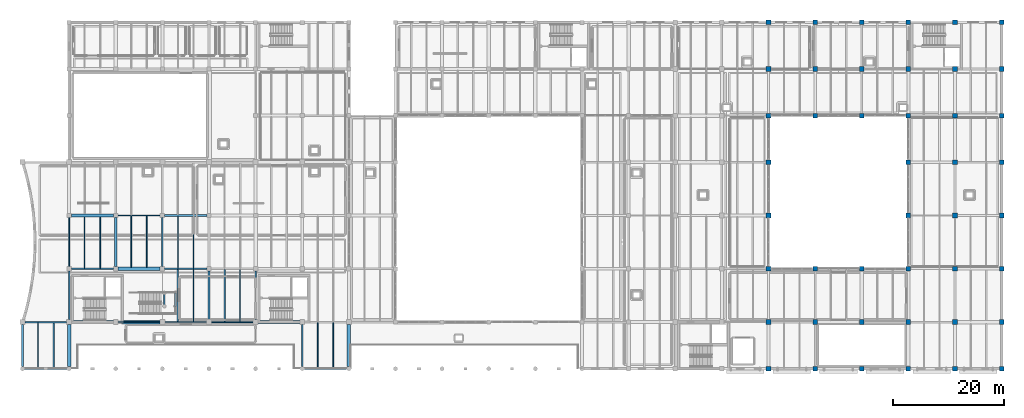
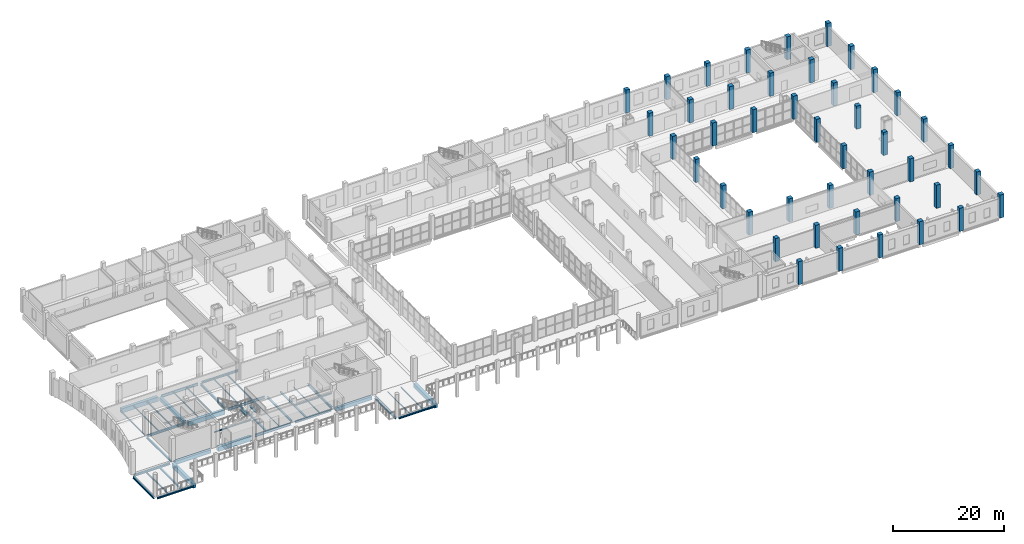
# One storey, part 2 of 66: 44 columns, 42 beams.
"""IFC4 building model written with IfcOpenShell, lengths in metres."""

from ifc_helpers import new_model, si_unit, direction, frame, origin, origin_2d, place, context, subcontext, project, spatial, rectangle, i_section, extrude, material, material_profile, profile_set, type_object, element, save


model = new_model("IFC4")

# Units and contexts
model_context = context("Model", 3, precision=1e-05, world=origin(), true_north=direction((0.0, 1.0)))
body_context = subcontext(model_context, "Body", "Model", "MODEL_VIEW")
ifc_project = project(units=[si_unit("LENGTHUNIT", "METRE"), si_unit("AREAUNIT", "SQUARE_METRE"), si_unit("VOLUMEUNIT", "CUBIC_METRE"), si_unit("PLANEANGLEUNIT", "RADIAN"), si_unit("MASSUNIT", "GRAM", prefix="KILO")], contexts=[model_context])

# Site, building, storey
site_placement = place(None, origin())
site = spatial("IfcSite", under=ifc_project, at=site_placement, CompositionType="ELEMENT")
building_placement = place(site_placement, origin())
building = spatial("IfcBuilding", under=site, at=building_placement, Name="Zulmaris Art Gallery", CompositionType="ELEMENT")
storey_placement = place(building_placement, frame((0.0, 0.0, 5.39990234375)))
storey = spatial("IfcBuildingStorey", under=building, at=storey_placement, Name="L01", CompositionType="ELEMENT", Elevation=5.39990234375)

# Columns
ifc_material_1 = material(Name="Concrete C50/60", Category="concrete")
ifc_material_profile_1 = material_profile(ifc_material_1, rectangle(XDim=0.85009765625, YDim=0.85009765625, at=origin_2d()), Name="RC 850x850")
ifc_profile_set_1 = profile_set([ifc_material_profile_1], Name="Concrete C50/60")
column_type = type_object("IfcColumnType", Name="COL-RC-850x850", PredefinedType="COLUMN", material=ifc_profile_set_1)
for number, where, z_axis, x_axis, name in (
    (1, (158.39990234375, 13.199951171875, 0.0), (0.0, 0.0, 1.0), (1.0, 0.0, 0.0), "L01 structural column (158.4, 13.2)"),
    (2, (158.39990234375, 21.60009765625, 0.0), (0.0, 0.0, 1.0), (1.0, 0.0, 0.0), "L01 structural column (158.4, 21.6)"),
    (3, (158.39990234375, 31.199951171875, 0.0), (0.0, 0.0, 1.0), (1.0, 0.0, 0.0), "L01 structural column (158.4, 31.2)"),
    (4, (158.39990234375, 40.800048828125, 0.0), (0.0, 0.0, 1.0), (1.0, 0.0, 0.0), "L01 structural column (158.4, 40.8)"),
    (5, (158.39990234375, 50.39990234375, 0.0), (0.0, 0.0, 1.0), (1.0, 0.0, 0.0), "L01 structural column (158.4, 50.4)"),
    (6, (158.39990234375, 58.800048828125, 0.0), (0.0, 0.0, 1.0), (1.0, 0.0, 0.0), "L01 structural column (158.4, 58.8)"),
    (7, (158.39990234375, 67.199951171875, 0.0), (0.0, 0.0, 1.0), (1.0, 0.0, 0.0), "L01 structural column (158.4, 67.2)"),
    (8, (158.39990234375, 75.60009765625, 0.0), (0.0, 0.0, 1.0), (1.0, 0.0, 0.0), "L01 structural column (158.4, 75.6)"),
    (9, (166.800048828125, 13.199951171875, 0.0), (0.0, 0.0, 1.0), (1.0, 0.0, 0.0), "L01 structural column (166.8, 13.2)"),
    (10, (166.800048828125, 21.60009765625, 0.0), (0.0, 0.0, 1.0), (1.0, 0.0, 0.0), "L01 structural column (166.8, 21.6)"),
    (11, (166.800048828125, 31.199951171875, 0.0), (0.0, 0.0, 1.0), (1.0, 0.0, 0.0), "L01 structural column (166.8, 31.2)"),
    (12, (166.800048828125, 58.800048828125, 0.0), (0.0, 0.0, 1.0), (1.0, 0.0, 0.0), "L01 structural column (166.8, 58.8)"),
    (13, (166.800048828125, 67.199951171875, 0.0), (0.0, 0.0, 1.0), (1.0, 0.0, 0.0), "L01 structural column (166.8, 67.2)"),
    (14, (166.800048828125, 75.60009765625, 0.0), (0.0, 0.0, 1.0), (1.0, 0.0, 0.0), "L01 structural column (166.8, 75.6)"),
    (15, (175.199951171875, 13.199951171875, 0.0), (0.0, 0.0, 1.0), (1.0, 0.0, 0.0), "L01 structural column (175.2, 13.2)"),
    (16, (175.199951171875, 21.60009765625, 0.0), (0.0, 0.0, 1.0), (1.0, 0.0, 0.0), "L01 structural column (175.2, 21.6)"),
    (17, (175.199951171875, 31.199951171875, 0.0), (0.0, 0.0, 1.0), (1.0, 0.0, 0.0), "L01 structural column (175.2, 31.2)"),
    (18, (175.199951171875, 58.800048828125, 0.0), (0.0, 0.0, 1.0), (1.0, 0.0, 0.0), "L01 structural column (175.2, 58.8)"),
    (19, (175.199951171875, 67.199951171875, 0.0), (0.0, 0.0, 1.0), (1.0, 0.0, 0.0), "L01 structural column (175.2, 67.2)"),
    (20, (175.199951171875, 75.60009765625, 0.0), (0.0, 0.0, 1.0), (1.0, 0.0, 0.0), "L01 structural column (175.2, 75.6)"),
    (21, (183.60009765625, 13.199951171875, 0.0), (0.0, 0.0, 1.0), (1.0, 0.0, 0.0), "L01 structural column (183.6, 13.2)"),
    (22, (183.60009765625, 21.60009765625, 0.0), (0.0, 0.0, 1.0), (1.0, 0.0, 0.0), "L01 structural column (183.6, 21.6)"),
    (23, (183.60009765625, 31.199951171875, 0.0), (0.0, 0.0, 1.0), (1.0, 0.0, 0.0), "L01 structural column (183.6, 31.2)"),
    (24, (183.60009765625, 40.800048828125, 0.0), (0.0, 0.0, 1.0), (1.0, 0.0, 0.0), "L01 structural column (183.6, 40.8)"),
    (25, (183.60009765625, 50.39990234375, 0.0), (0.0, 0.0, 1.0), (1.0, 0.0, 0.0), "L01 structural column (183.6, 50.4)"),
    (26, (183.60009765625, 58.800048828125, 0.0), (0.0, 0.0, 1.0), (1.0, 0.0, 0.0), "L01 structural column (183.6, 58.8)"),
    (27, (183.60009765625, 67.199951171875, 0.0), (0.0, 0.0, 1.0), (1.0, 0.0, 0.0), "L01 structural column (183.6, 67.2)"),
    (28, (183.60009765625, 75.60009765625, 0.0), (0.0, 0.0, 1.0), (1.0, 0.0, 0.0), "L01 structural column (183.6, 75.6)"),
    (29, (192.0, 13.199951171875, 0.0), (0.0, 0.0, 1.0), (1.0, 0.0, 0.0), "L01 structural column (192.0, 13.2)"),
    (30, (192.0, 21.60009765625, 0.0), (0.0, 0.0, 1.0), (1.0, 0.0, 0.0), "L01 structural column (192.0, 21.6)"),
    (31, (192.0, 31.199951171875, 0.0), (0.0, 0.0, 1.0), (1.0, 0.0, 0.0), "L01 structural column (192.0, 31.2)"),
    (32, (192.0, 40.800048828125, 0.0), (0.0, 0.0, 1.0), (1.0, 0.0, 0.0), "L01 structural column (192.0, 40.8)"),
    (33, (192.0, 50.39990234375, 0.0), (0.0, 0.0, 1.0), (1.0, 0.0, 0.0), "L01 structural column (192.0, 50.4)"),
    (34, (192.0, 58.800048828125, 0.0), (0.0, 0.0, 1.0), (1.0, 0.0, 0.0), "L01 structural column (192.0, 58.8)"),
    (35, (192.0, 67.199951171875, 0.0), (0.0, 0.0, 1.0), (1.0, 0.0, 0.0), "L01 structural column (192.0, 67.2)"),
    (36, (192.0, 75.60009765625, 0.0), (0.0, 0.0, 1.0), (1.0, 0.0, 0.0), "L01 structural column (192.0, 75.6)"),
    (37, (200.39990234375, 13.199951171875, 0.0), (0.0, 0.0, 1.0), (1.0, 0.0, 0.0), "L01 structural column (200.4, 13.2)"),
    (38, (200.39990234375, 21.60009765625, 0.0), (0.0, 0.0, 1.0), (1.0, 0.0, 0.0), "L01 structural column (200.4, 21.6)"),
    (39, (200.39990234375, 31.199951171875, 0.0), (0.0, 0.0, 1.0), (1.0, 0.0, 0.0), "L01 structural column (200.4, 31.2)"),
    (40, (200.39990234375, 40.800048828125, 0.0), (0.0, 0.0, 1.0), (1.0, 0.0, 0.0), "L01 structural column (200.4, 40.8)"),
    (41, (200.39990234375, 50.39990234375, 0.0), (0.0, 0.0, 1.0), (1.0, 0.0, 0.0), "L01 structural column (200.4, 50.4)"),
    (42, (200.39990234375, 58.800048828125, 0.0), (0.0, 0.0, 1.0), (1.0, 0.0, 0.0), "L01 structural column (200.4, 58.8)"),
    (43, (200.39990234375, 67.199951171875, 0.0), (0.0, 0.0, 1.0), (1.0, 0.0, 0.0), "L01 structural column (200.4, 67.2)"),
    (44, (200.39990234375, 75.60009765625, 0.0), (0.0, 0.0, 1.0), (1.0, 0.0, 0.0), "L01 structural column (200.4, 75.6)"),
):
    element("IfcColumn", number, at=place(storey_placement, frame(where, z_axis=z_axis, x_axis=x_axis)), inside=storey, type_object=column_type, Name=name, PredefinedType="COLUMN", context=body_context, shape_type="SweptSolid", body=[
        extrude(rectangle(XDim=0.85009765625, YDim=0.85009765625, at=origin_2d()), origin(), (0.0, 0.0, 1.0), 5.10009765625),
    ])

# Beams
ifc_material_2 = material(Name="Steel S355J2", Category="steel")
ifc_material_profile_2 = material_profile(ifc_material_2, i_section(OverallWidth=0.14990234375, OverallDepth=0.300048828125, WebThickness=0.007080078125, FlangeThickness=0.0107421875, FilletRadius=0.014892578125, at=origin_2d()), Name="IPE 300")
ifc_profile_set_2 = profile_set([ifc_material_profile_2], Name="Steel S355J2")
beam_type_1 = type_object("IfcBeamType", Name="BEAM-BM01", PredefinedType="BEAM", material=ifc_profile_set_2)
beam_1_placement = place(storey_placement, frame((32.39990234375, 31.5849609375, -0.47998046875), z_axis=(0.0, 1.0, 0.0), x_axis=(-1.0, 0.0, 0.0)))
element("IfcBeam", 45, at=beam_1_placement, inside=storey, type_object=beam_type_1, Name="L01 Y-girder (x=32.4, 31.2..40.8)", PredefinedType="BEAM", context=body_context, shape_type="SweptSolid", body=[
    extrude(i_section(OverallWidth=0.14990234375, OverallDepth=0.300048828125, WebThickness=0.007080078125, FlangeThickness=0.0107421875, FilletRadius=0.014892578125, at=origin_2d()), origin(), (0.0, 0.0, 1.0), 8.830078125),
])
ifc_material_profile_3 = material_profile(ifc_material_2, i_section(OverallWidth=0.219970703125, OverallDepth=0.60009765625, WebThickness=0.011962890625, FlangeThickness=0.01904296875, FilletRadius=0.02392578125, at=origin_2d()), Name="IPE 600")
ifc_profile_set_3 = profile_set([ifc_material_profile_3], Name="Steel S355J2")
beam_type_2 = type_object("IfcBeamType", Name="BEAM-BM07", PredefinedType="BEAM", material=ifc_profile_set_3)
beam_2_placement = place(storey_placement, frame((49.635009765625, 21.60009765625, -0.6298828125), z_axis=(1.0, 0.0, 0.0), x_axis=(0.0, 1.0, 0.0)))
element("IfcBeam", 46, at=beam_2_placement, inside=storey, type_object=beam_type_2, Name="L01 X-girder (49.2..57.6, y=21.6)", PredefinedType="BEAM", context=body_context, shape_type="SweptSolid", body=[
    extrude(i_section(OverallWidth=0.219970703125, OverallDepth=0.60009765625, WebThickness=0.011962890625, FlangeThickness=0.01904296875, FilletRadius=0.02392578125, at=origin_2d()), origin(), (0.0, 0.0, 1.0), 7.530029296875),
])
beam_3_placement = place(storey_placement, frame((49.5849609375, 31.199951171875, -0.6298828125), z_axis=(1.0, 0.0, 0.0), x_axis=(0.0, 1.0, 0.0)))
element("IfcBeam", 47, at=beam_3_placement, inside=storey, type_object=beam_type_2, Name="L01 X-girder (49.2..57.6, y=31.2)", PredefinedType="BEAM", context=body_context, shape_type="SweptSolid", body=[
    extrude(i_section(OverallWidth=0.219970703125, OverallDepth=0.60009765625, WebThickness=0.011962890625, FlangeThickness=0.01904296875, FilletRadius=0.02392578125, at=origin_2d()), origin(), (0.0, 0.0, 1.0), 7.630126953125),
])
beam_4_placement = place(storey_placement, frame((41.18505859375, 40.800048828125, -0.6298828125), z_axis=(1.0, 0.0, 0.0), x_axis=(0.0, 1.0, 0.0)))
element("IfcBeam", 48, at=beam_4_placement, inside=storey, type_object=beam_type_2, Name="L01 X-girder (40.8..49.2, y=40.8)", PredefinedType="BEAM", context=body_context, shape_type="SweptSolid", body=[
    extrude(i_section(OverallWidth=0.219970703125, OverallDepth=0.60009765625, WebThickness=0.011962890625, FlangeThickness=0.01904296875, FilletRadius=0.02392578125, at=origin_2d()), origin(), (0.0, 0.0, 1.0), 7.6298828125),
])
ifc_material_profile_4 = material_profile(ifc_material_2, i_section(OverallWidth=0.300048828125, OverallDepth=0.389892578125, WebThickness=0.010986328125, FlangeThickness=0.01904296875, FilletRadius=0.027099609375, at=origin_2d()), Name="HEA 400")
ifc_profile_set_4 = profile_set([ifc_material_profile_4], Name="Steel S355J2")
beam_type_3 = type_object("IfcBeamType", Name="BEAM-BM09", PredefinedType="BEAM", material=ifc_profile_set_4)
beam_5_placement = place(storey_placement, frame((49.199951171875, 31.5849609375, -0.52490234375), z_axis=(0.0, 1.0, 0.0), x_axis=(-1.0, 0.0, 0.0)))
element("IfcBeam", 49, at=beam_5_placement, inside=storey, type_object=beam_type_3, Name="L01 Y-girder (x=49.2, 31.2..40.8)", PredefinedType="BEAM", context=body_context, shape_type="SweptSolid", body=[
    extrude(i_section(OverallWidth=0.300048828125, OverallDepth=0.389892578125, WebThickness=0.010986328125, FlangeThickness=0.01904296875, FilletRadius=0.027099609375, at=origin_2d()), origin(), (0.0, 0.0, 1.0), 8.830078125),
])
beam_6_placement = place(storey_placement, frame((57.60009765625, 22.034912109375, -0.52490234375), z_axis=(0.0, 1.0, 0.0), x_axis=(-1.0, 0.0, 0.0)))
element("IfcBeam", 50, at=beam_6_placement, inside=storey, type_object=beam_type_3, Name="L01 Y-girder (x=57.6, 21.6..31.2)", PredefinedType="BEAM", context=body_context, shape_type="SweptSolid", body=[
    extrude(i_section(OverallWidth=0.300048828125, OverallDepth=0.389892578125, WebThickness=0.010986328125, FlangeThickness=0.01904296875, FilletRadius=0.027099609375, at=origin_2d()), origin(), (0.0, 0.0, 1.0), 8.780029296875),
])
for number, where, z_axis, x_axis, name in (
    (51, (49.550048828125, 24.449951171875, 2.14501953125), (0.0, 1.0, 0.0), (-1.0, 0.0, 0.0), "ST6 L01 landing bearer 1"),
    (52, (51.550048828125, 24.449951171875, 2.14501953125), (0.0, 1.0, 0.0), (-1.0, 0.0, 0.0), "ST6 L01 landing bearer 2"),
):
    element("IfcBeam", number, at=place(storey_placement, frame(where, z_axis=z_axis, x_axis=x_axis)), inside=storey, type_object=beam_type_3, Name=name, PredefinedType="BEAM", context=body_context, shape_type="SweptSolid", body=[
        extrude(i_section(OverallWidth=0.300048828125, OverallDepth=0.389892578125, WebThickness=0.010986328125, FlangeThickness=0.01904296875, FilletRadius=0.027099609375, at=origin_2d()), origin(), (0.0, 0.0, 1.0), 2.400146484375),
    ])
ifc_material_profile_5 = material_profile(ifc_material_2, i_section(OverallWidth=0.300048828125, OverallDepth=0.449951171875, WebThickness=0.013916015625, FlangeThickness=0.02587890625, FilletRadius=0.027099609375, at=origin_2d()), Name="HEB 450")
ifc_profile_set_5 = profile_set([ifc_material_profile_5], Name="Steel S355J2")
beam_type_4 = type_object("IfcBeamType", Name="BEAM-BM13", PredefinedType="BEAM", material=ifc_profile_set_5)
for number, where, z_axis, x_axis, name in (
    (53, (24.43505859375, 21.60009765625, -0.554931640625), (1.0, 0.0, 0.0), (0.0, 1.0, 0.0), "L01 X-girder (24.0..32.4, y=21.6)"),
    (54, (58.034912109375, 21.60009765625, -0.554931640625), (1.0, 0.0, 0.0), (0.0, 1.0, 0.0), "L01 X-girder (57.6..66.0, y=21.6)"),
):
    element("IfcBeam", number, at=place(storey_placement, frame(where, z_axis=z_axis, x_axis=x_axis)), inside=storey, type_object=beam_type_4, Name=name, PredefinedType="BEAM", context=body_context, shape_type="SweptSolid", body=[
        extrude(i_section(OverallWidth=0.300048828125, OverallDepth=0.449951171875, WebThickness=0.013916015625, FlangeThickness=0.02587890625, FilletRadius=0.027099609375, at=origin_2d()), origin(), (0.0, 0.0, 1.0), 7.530029296875),
    ])
beam_7_placement = place(storey_placement, frame((49.5849609375, 40.800048828125, -0.554931640625), z_axis=(1.0, 0.0, 0.0), x_axis=(0.0, 1.0, 0.0)))
element("IfcBeam", 55, at=beam_7_placement, inside=storey, type_object=beam_type_4, Name="L01 X-girder (49.2..57.6, y=40.8)", PredefinedType="BEAM", context=body_context, shape_type="SweptSolid", body=[
    extrude(i_section(OverallWidth=0.300048828125, OverallDepth=0.449951171875, WebThickness=0.013916015625, FlangeThickness=0.02587890625, FilletRadius=0.027099609375, at=origin_2d()), origin(), (0.0, 0.0, 1.0), 7.630126953125),
])
ifc_material_profile_6 = material_profile(ifc_material_2, i_section(OverallWidth=0.300048828125, OverallDepth=0.5, WebThickness=0.014404296875, FlangeThickness=0.028076171875, FilletRadius=0.027099609375, at=origin_2d()), Name="HEB 500")
ifc_profile_set_6 = profile_set([ifc_material_profile_6], Name="Steel S355J2")
beam_type_5 = type_object("IfcBeamType", Name="BEAM-BM14", PredefinedType="BEAM", material=ifc_profile_set_6)
beam_8_placement = place(storey_placement, frame((32.784912109375, 31.199951171875, -0.579833984375), z_axis=(1.0, 0.0, 0.0), x_axis=(0.0, 1.0, 0.0)))
element("IfcBeam", 56, at=beam_8_placement, inside=storey, type_object=beam_type_5, Name="L01 X-girder (32.4..40.8, y=31.2)", PredefinedType="BEAM", context=body_context, shape_type="SweptSolid", body=[
    extrude(i_section(OverallWidth=0.300048828125, OverallDepth=0.5, WebThickness=0.014404296875, FlangeThickness=0.028076171875, FilletRadius=0.027099609375, at=origin_2d()), origin(), (0.0, 0.0, 1.0), 7.630126953125),
])
beam_9_placement = place(storey_placement, frame((66.0, 22.034912109375, -0.579833984375), z_axis=(0.0, 1.0, 0.0), x_axis=(-1.0, 0.0, 0.0)))
element("IfcBeam", 57, at=beam_9_placement, inside=storey, type_object=beam_type_5, Name="L01 Y-girder (x=66.0, 21.6..31.2)", PredefinedType="BEAM", context=body_context, shape_type="SweptSolid", body=[
    extrude(i_section(OverallWidth=0.300048828125, OverallDepth=0.5, WebThickness=0.014404296875, FlangeThickness=0.028076171875, FilletRadius=0.027099609375, at=origin_2d()), origin(), (0.0, 0.0, 1.0), 8.780029296875),
])
beam_10_placement = place(storey_placement, frame((74.39990234375, 13.5849609375, -0.579833984375), z_axis=(0.0, 1.0, 0.0), x_axis=(-1.0, 0.0, 0.0)))
element("IfcBeam", 58, at=beam_10_placement, inside=storey, type_object=beam_type_5, Name="L01 Y-girder (x=74.4, 13.2..21.6)", PredefinedType="BEAM", context=body_context, shape_type="SweptSolid", body=[
    extrude(i_section(OverallWidth=0.300048828125, OverallDepth=0.5, WebThickness=0.014404296875, FlangeThickness=0.028076171875, FilletRadius=0.027099609375, at=origin_2d()), origin(), (0.0, 0.0, 1.0), 7.580078125),
])
ifc_material_3 = material(Name="Concrete C40/50", Category="concrete")
ifc_material_profile_7 = material_profile(ifc_material_3, rectangle(XDim=0.5, YDim=0.75, at=origin_2d()), Name="RC 500x750")
ifc_profile_set_7 = profile_set([ifc_material_profile_7], Name="Concrete C40/50")
beam_type_6 = type_object("IfcBeamType", Name="BEAM-BM20", PredefinedType="BEAM", material=ifc_profile_set_7)
for number, where, z_axis, x_axis, name in (
    (59, (32.8349609375, 21.60009765625, -0.704833984375), (1.0, 0.0, 0.0), (0.0, 1.0, 0.0), "L01 X-girder (32.4..40.8, y=21.6)"),
    (60, (66.43505859375, 21.60009765625, -0.704833984375), (1.0, 0.0, 0.0), (0.0, 1.0, 0.0), "L01 X-girder (66.0..74.4, y=21.6)"),
):
    element("IfcBeam", number, at=place(storey_placement, frame(where, z_axis=z_axis, x_axis=x_axis)), inside=storey, type_object=beam_type_6, Name=name, PredefinedType="BEAM", context=body_context, shape_type="SweptSolid", body=[
        extrude(rectangle(XDim=0.5, YDim=0.75, at=origin_2d()), origin(), (0.0, 0.0, 1.0), 7.530029296875),
    ])
beam_11_placement = place(storey_placement, frame((40.800048828125, 31.5849609375, -0.704833984375), z_axis=(0.0, 1.0, 0.0), x_axis=(-1.0, 0.0, 0.0)))
element("IfcBeam", 61, at=beam_11_placement, inside=storey, type_object=beam_type_6, Name="L01 Y-girder (x=40.8, 31.2..40.8)", PredefinedType="BEAM", context=body_context, shape_type="SweptSolid", body=[
    extrude(rectangle(XDim=0.5, YDim=0.75, at=origin_2d()), origin(), (0.0, 0.0, 1.0), 8.830078125),
])
ifc_material_profile_8 = material_profile(ifc_material_3, rectangle(XDim=0.60009765625, YDim=0.949951171875, at=origin_2d()), Name="RC 600x950")
ifc_profile_set_8 = profile_set([ifc_material_profile_8], Name="Concrete C40/50")
beam_type_7 = type_object("IfcBeamType", Name="BEAM-BM22", PredefinedType="BEAM", material=ifc_profile_set_8)
beam_12_placement = place(storey_placement, frame((41.85009765625, 21.60009765625, -0.804931640625), z_axis=(1.0, 0.0, 0.0), x_axis=(0.0, 1.0, 0.0)))
element("IfcBeam", 62, at=beam_12_placement, inside=storey, type_object=beam_type_7, Name="L01 X-girder (40.8..49.2, y=21.6)", PredefinedType="BEAM", context=body_context, shape_type="SweptSolid", body=[
    extrude(rectangle(XDim=0.60009765625, YDim=0.949951171875, at=origin_2d()), origin(), (0.0, 0.0, 1.0), 6.914794921875),
])
beam_13_placement = place(storey_placement, frame((41.18505859375, 31.199951171875, -0.804931640625), z_axis=(1.0, 0.0, 0.0), x_axis=(0.0, 1.0, 0.0)))
element("IfcBeam", 63, at=beam_13_placement, inside=storey, type_object=beam_type_7, Name="L01 X-girder (40.8..49.2, y=31.2)", PredefinedType="BEAM", context=body_context, shape_type="SweptSolid", body=[
    extrude(rectangle(XDim=0.60009765625, YDim=0.949951171875, at=origin_2d()), origin(), (0.0, 0.0, 1.0), 7.6298828125),
])
beam_14_placement = place(storey_placement, frame((32.784912109375, 40.800048828125, -0.804931640625), z_axis=(1.0, 0.0, 0.0), x_axis=(0.0, 1.0, 0.0)))
element("IfcBeam", 64, at=beam_14_placement, inside=storey, type_object=beam_type_7, Name="L01 X-girder (32.4..40.8, y=40.8)", PredefinedType="BEAM", context=body_context, shape_type="SweptSolid", body=[
    extrude(rectangle(XDim=0.60009765625, YDim=0.949951171875, at=origin_2d()), origin(), (0.0, 0.0, 1.0), 7.630126953125),
])
for number, where, z_axis, x_axis, name in (
    (65, (32.39990234375, 13.5849609375, -0.804931640625), (0.0, 1.0, 0.0), (-1.0, 0.0, 0.0), "L01 Y-girder (x=32.4, 13.2..21.6)"),
    (66, (82.800048828125, 13.5849609375, -0.804931640625), (0.0, 1.0, 0.0), (-1.0, 0.0, 0.0), "L01 Y-girder (x=82.8, 13.2..21.6)"),
):
    element("IfcBeam", number, at=place(storey_placement, frame(where, z_axis=z_axis, x_axis=x_axis)), inside=storey, type_object=beam_type_7, Name=name, PredefinedType="BEAM", context=body_context, shape_type="SweptSolid", body=[
        extrude(rectangle(XDim=0.60009765625, YDim=0.949951171875, at=origin_2d()), origin(), (0.0, 0.0, 1.0), 7.580078125),
    ])
ifc_material_profile_9 = material_profile(ifc_material_2, i_section(OverallWidth=0.300048828125, OverallDepth=0.360107421875, WebThickness=0.012451171875, FlangeThickness=0.0224609375, FilletRadius=0.027099609375, at=origin_2d()), Name="HEB 360")
ifc_profile_set_9 = profile_set([ifc_material_profile_9], Name="Steel S355J2")
beam_type_8 = type_object("IfcBeamType", Name="BEAM-BM25", PredefinedType="BEAM", material=ifc_profile_set_9)
beam_15_placement = place(storey_placement, frame((32.39990234375, 22.034912109375, -0.510009765625), z_axis=(0.0, 1.0, 0.0), x_axis=(-1.0, 0.0, 0.0)))
element("IfcBeam", 67, at=beam_15_placement, inside=storey, type_object=beam_type_8, Name="L01 Y-girder (x=32.4, 21.6..31.2)", PredefinedType="BEAM", context=body_context, shape_type="SweptSolid", body=[
    extrude(i_section(OverallWidth=0.300048828125, OverallDepth=0.360107421875, WebThickness=0.012451171875, FlangeThickness=0.0224609375, FilletRadius=0.027099609375, at=origin_2d()), origin(), (0.0, 0.0, 1.0), 8.780029296875),
])
ifc_material_profile_10 = material_profile(ifc_material_2, i_section(OverallWidth=0.1201171875, OverallDepth=0.239990234375, WebThickness=0.006103515625, FlangeThickness=0.009765625, FilletRadius=0.014892578125, at=origin_2d()), Name="IPE 240")
ifc_profile_set_10 = profile_set([ifc_material_profile_10], Name="Steel S355J2")
beam_type_9 = type_object("IfcBeamType", Name="BEAM-JS01", PredefinedType="JOIST", material=ifc_profile_set_10)
beam_16_placement = place(storey_placement, frame((35.199951171875, 31.324951171875, -0.449951171875), z_axis=(0.0, 1.0, 0.0), x_axis=(-1.0, 0.0, 0.0)))
element("IfcBeam", 68, at=beam_16_placement, inside=storey, type_object=beam_type_9, Name="L01 secondary joist at x=35.2", PredefinedType="JOIST", context=body_context, shape_type="SweptSolid", body=[
    extrude(i_section(OverallWidth=0.1201171875, OverallDepth=0.239990234375, WebThickness=0.006103515625, FlangeThickness=0.009765625, FilletRadius=0.014892578125, at=origin_2d()), origin(), (0.0, 0.0, 1.0), 9.199951171875),
])
beam_17_placement = place(storey_placement, frame((43.60009765625, 31.47509765625, -0.449951171875), z_axis=(0.0, 1.0, 0.0), x_axis=(-1.0, 0.0, 0.0)))
element("IfcBeam", 69, at=beam_17_placement, inside=storey, type_object=beam_type_9, Name="L01 secondary joist at x=43.6", PredefinedType="JOIST", context=body_context, shape_type="SweptSolid", body=[
    extrude(i_section(OverallWidth=0.1201171875, OverallDepth=0.239990234375, WebThickness=0.006103515625, FlangeThickness=0.009765625, FilletRadius=0.014892578125, at=origin_2d()), origin(), (0.0, 0.0, 1.0), 9.239990234375),
])
beam_18_placement = place(storey_placement, frame((54.800048828125, 21.68505859375, -0.449951171875), z_axis=(0.0, 1.0, 0.0), x_axis=(-1.0, 0.0, 0.0)))
element("IfcBeam", 70, at=beam_18_placement, inside=storey, type_object=beam_type_9, Name="L01 secondary joist at x=54.8", PredefinedType="JOIST", context=body_context, shape_type="SweptSolid", body=[
    extrude(i_section(OverallWidth=0.1201171875, OverallDepth=0.239990234375, WebThickness=0.006103515625, FlangeThickness=0.009765625, FilletRadius=0.014892578125, at=origin_2d()), origin(), (0.0, 0.0, 1.0), 9.429931640625),
])
beam_19_placement = place(storey_placement, frame((63.199951171875, 21.72509765625, -0.449951171875), z_axis=(0.0, 1.0, 0.0), x_axis=(-1.0, 0.0, 0.0)))
element("IfcBeam", 71, at=beam_19_placement, inside=storey, type_object=beam_type_9, Name="L01 secondary joist at x=63.2", PredefinedType="JOIST", context=body_context, shape_type="SweptSolid", body=[
    extrude(i_section(OverallWidth=0.1201171875, OverallDepth=0.239990234375, WebThickness=0.006103515625, FlangeThickness=0.009765625, FilletRadius=0.014892578125, at=origin_2d()), origin(), (0.0, 0.0, 1.0), 9.349853515625),
])
beam_20_placement = place(storey_placement, frame((77.199951171875, 13.324951171875, -0.449951171875), z_axis=(0.0, 1.0, 0.0), x_axis=(-1.0, 0.0, 0.0)))
element("IfcBeam", 72, at=beam_20_placement, inside=storey, type_object=beam_type_9, Name="L01 secondary joist at x=77.2", PredefinedType="JOIST", context=body_context, shape_type="SweptSolid", body=[
    extrude(i_section(OverallWidth=0.1201171875, OverallDepth=0.239990234375, WebThickness=0.006103515625, FlangeThickness=0.009765625, FilletRadius=0.014892578125, at=origin_2d()), origin(), (0.0, 0.0, 1.0), 8.150146484375),
])
ifc_material_profile_11 = material_profile(ifc_material_2, i_section(OverallWidth=0.135009765625, OverallDepth=0.27001953125, WebThickness=0.006591796875, FlangeThickness=0.01025390625, FilletRadius=0.014892578125, at=origin_2d()), Name="IPE 270")
ifc_profile_set_11 = profile_set([ifc_material_profile_11], Name="Steel S355J2")
beam_type_10 = type_object("IfcBeamType", Name="BEAM-JS02", PredefinedType="JOIST", material=ifc_profile_set_11)
beam_21_placement = place(storey_placement, frame((38.0, 31.324951171875, -0.46484375), z_axis=(0.0, 1.0, 0.0), x_axis=(-1.0, 0.0, 0.0)))
element("IfcBeam", 73, at=beam_21_placement, inside=storey, type_object=beam_type_10, Name="L01 secondary joist at x=38.0", PredefinedType="JOIST", context=body_context, shape_type="SweptSolid", body=[
    extrude(i_section(OverallWidth=0.135009765625, OverallDepth=0.27001953125, WebThickness=0.006591796875, FlangeThickness=0.01025390625, FilletRadius=0.014892578125, at=origin_2d()), origin(), (0.0, 0.0, 1.0), 9.199951171875),
])
beam_22_placement = place(storey_placement, frame((46.39990234375, 31.47509765625, -0.46484375), z_axis=(0.0, 1.0, 0.0), x_axis=(-1.0, 0.0, 0.0)))
element("IfcBeam", 74, at=beam_22_placement, inside=storey, type_object=beam_type_10, Name="L01 secondary joist at x=46.4", PredefinedType="JOIST", context=body_context, shape_type="SweptSolid", body=[
    extrude(i_section(OverallWidth=0.135009765625, OverallDepth=0.27001953125, WebThickness=0.006591796875, FlangeThickness=0.01025390625, FilletRadius=0.014892578125, at=origin_2d()), origin(), (0.0, 0.0, 1.0), 9.239990234375),
])
beam_23_placement = place(storey_placement, frame((52.0, 31.284912109375, -0.46484375), z_axis=(0.0, 1.0, 0.0), x_axis=(-1.0, 0.0, 0.0)))
element("IfcBeam", 75, at=beam_23_placement, inside=storey, type_object=beam_type_10, Name="L01 secondary joist at x=52.0", PredefinedType="JOIST", context=body_context, shape_type="SweptSolid", body=[
    extrude(i_section(OverallWidth=0.135009765625, OverallDepth=0.27001953125, WebThickness=0.006591796875, FlangeThickness=0.01025390625, FilletRadius=0.014892578125, at=origin_2d()), origin(), (0.0, 0.0, 1.0), 9.39013671875),
])
beam_24_placement = place(storey_placement, frame((80.0, 13.324951171875, -0.46484375), z_axis=(0.0, 1.0, 0.0), x_axis=(-1.0, 0.0, 0.0)))
element("IfcBeam", 76, at=beam_24_placement, inside=storey, type_object=beam_type_10, Name="L01 secondary joist at x=80.0", PredefinedType="JOIST", context=body_context, shape_type="SweptSolid", body=[
    extrude(i_section(OverallWidth=0.135009765625, OverallDepth=0.27001953125, WebThickness=0.006591796875, FlangeThickness=0.01025390625, FilletRadius=0.014892578125, at=origin_2d()), origin(), (0.0, 0.0, 1.0), 8.150146484375),
])
ifc_material_profile_12 = material_profile(ifc_material_2, i_section(OverallWidth=0.159912109375, OverallDepth=0.330078125, WebThickness=0.007568359375, FlangeThickness=0.011474609375, FilletRadius=0.01806640625, at=origin_2d()), Name="IPE 330")
ifc_profile_set_12 = profile_set([ifc_material_profile_12], Name="Steel S355J2")
beam_type_11 = type_object("IfcBeamType", Name="BEAM-JS03", PredefinedType="JOIST", material=ifc_profile_set_12)
beam_25_placement = place(storey_placement, frame((26.800048828125, 13.324951171875, -0.494873046875), z_axis=(0.0, 1.0, 0.0), x_axis=(-1.0, 0.0, 0.0)))
element("IfcBeam", 77, at=beam_25_placement, inside=storey, type_object=beam_type_11, Name="L01 secondary joist at x=26.8", PredefinedType="JOIST", context=body_context, shape_type="SweptSolid", body=[
    extrude(i_section(OverallWidth=0.159912109375, OverallDepth=0.330078125, WebThickness=0.007568359375, FlangeThickness=0.011474609375, FilletRadius=0.01806640625, at=origin_2d()), origin(), (0.0, 0.0, 1.0), 8.150146484375),
])
beam_26_placement = place(storey_placement, frame((54.800048828125, 31.284912109375, -0.494873046875), z_axis=(0.0, 1.0, 0.0), x_axis=(-1.0, 0.0, 0.0)))
element("IfcBeam", 78, at=beam_26_placement, inside=storey, type_object=beam_type_11, Name="L01 secondary joist at x=54.8", PredefinedType="JOIST", context=body_context, shape_type="SweptSolid", body=[
    extrude(i_section(OverallWidth=0.159912109375, OverallDepth=0.330078125, WebThickness=0.007568359375, FlangeThickness=0.011474609375, FilletRadius=0.01806640625, at=origin_2d()), origin(), (0.0, 0.0, 1.0), 9.39013671875),
])
ifc_material_profile_13 = material_profile(ifc_material_2, i_section(OverallWidth=0.280029296875, OverallDepth=0.27001953125, WebThickness=0.008056640625, FlangeThickness=0.012939453125, FilletRadius=0.02392578125, at=origin_2d()), Name="HEA 280")
ifc_profile_set_13 = profile_set([ifc_material_profile_13], Name="Steel S355J2")
beam_type_12 = type_object("IfcBeamType", Name="BEAM-JS04", PredefinedType="JOIST", material=ifc_profile_set_13)
beam_27_placement = place(storey_placement, frame((29.60009765625, 13.324951171875, -0.46484375), z_axis=(0.0, 1.0, 0.0), x_axis=(-1.0, 0.0, 0.0)))
element("IfcBeam", 79, at=beam_27_placement, inside=storey, type_object=beam_type_12, Name="L01 secondary joist at x=29.6", PredefinedType="JOIST", context=body_context, shape_type="SweptSolid", body=[
    extrude(i_section(OverallWidth=0.280029296875, OverallDepth=0.27001953125, WebThickness=0.008056640625, FlangeThickness=0.012939453125, FilletRadius=0.02392578125, at=origin_2d()), origin(), (0.0, 0.0, 1.0), 8.150146484375),
])
beam_28_placement = place(storey_placement, frame((52.0, 21.68505859375, -0.46484375), z_axis=(0.0, 1.0, 0.0), x_axis=(-1.0, 0.0, 0.0)))
element("IfcBeam", 80, at=beam_28_placement, inside=storey, type_object=beam_type_12, Name="L01 secondary joist at x=52.0", PredefinedType="JOIST", context=body_context, shape_type="SweptSolid", body=[
    extrude(i_section(OverallWidth=0.280029296875, OverallDepth=0.27001953125, WebThickness=0.008056640625, FlangeThickness=0.012939453125, FilletRadius=0.02392578125, at=origin_2d()), origin(), (0.0, 0.0, 1.0), 9.429931640625),
])
beam_29_placement = place(storey_placement, frame((60.39990234375, 21.72509765625, -0.46484375), z_axis=(0.0, 1.0, 0.0), x_axis=(-1.0, 0.0, 0.0)))
element("IfcBeam", 81, at=beam_29_placement, inside=storey, type_object=beam_type_12, Name="L01 secondary joist at x=60.4", PredefinedType="JOIST", context=body_context, shape_type="SweptSolid", body=[
    extrude(i_section(OverallWidth=0.280029296875, OverallDepth=0.27001953125, WebThickness=0.008056640625, FlangeThickness=0.012939453125, FilletRadius=0.02392578125, at=origin_2d()), origin(), (0.0, 0.0, 1.0), 9.349853515625),
])
ifc_material_profile_14 = material_profile(ifc_material_2, i_section(OverallWidth=0.10009765625, OverallDepth=0.199951171875, WebThickness=0.005615234375, FlangeThickness=0.008544921875, FilletRadius=0.011962890625, at=origin_2d()), Name="IPE 200")
ifc_profile_set_14 = profile_set([ifc_material_profile_14], Name="Steel S355J2")
beam_type_13 = type_object("IfcBeamType", Name="BEAM-LN01", PredefinedType="LINTEL", material=ifc_profile_set_14)
beam_30_placement = place(storey_placement, frame((41.14990234375, 21.60009765625, 3.10009765625), z_axis=(1.0, 0.0, 0.0), x_axis=(0.0, 1.0, 0.0)))
element("IfcBeam", 82, at=beam_30_placement, inside=storey, type_object=beam_type_13, Name="L01 portal lintel 5", PredefinedType="LINTEL", context=body_context, shape_type="SweptSolid", body=[
    extrude(i_section(OverallWidth=0.10009765625, OverallDepth=0.199951171875, WebThickness=0.005615234375, FlangeThickness=0.008544921875, FilletRadius=0.011962890625, at=origin_2d()), origin(), (0.0, 0.0, 1.0), 7.7001953125),
])
beam_31_placement = place(storey_placement, frame((57.949951171875, 21.60009765625, 3.10009765625), z_axis=(1.0, 0.0, 0.0), x_axis=(0.0, 1.0, 0.0)))
element("IfcBeam", 83, at=beam_31_placement, inside=storey, type_object=beam_type_13, Name="L01 portal lintel 6", PredefinedType="LINTEL", context=body_context, shape_type="SweptSolid", body=[
    extrude(i_section(OverallWidth=0.10009765625, OverallDepth=0.199951171875, WebThickness=0.005615234375, FlangeThickness=0.008544921875, FilletRadius=0.011962890625, at=origin_2d()), origin(), (0.0, 0.0, 1.0), 7.699951171875),
])
ifc_material_profile_15 = material_profile(ifc_material_2, i_section(OverallWidth=0.300048828125, OverallDepth=0.35009765625, WebThickness=0.010009765625, FlangeThickness=0.017578125, FilletRadius=0.027099609375, at=origin_2d()), Name="HEA 360")
ifc_profile_set_15 = profile_set([ifc_material_profile_15], Name="Steel S355J2")
beam_type_14 = type_object("IfcBeamType", Name="BEAM-SP01", PredefinedType="SPANDREL", material=ifc_profile_set_15)
beam_32_placement = place(storey_placement, frame((24.385009765625, 13.199951171875, -0.5048828125), z_axis=(1.0, 0.0, 0.0), x_axis=(0.0, 1.0, 0.0)))
element("IfcBeam", 84, at=beam_32_placement, inside=storey, type_object=beam_type_14, Name="L01 X-girder (24.0..32.4, y=13.2)", PredefinedType="SPANDREL", context=body_context, shape_type="SweptSolid", body=[
    extrude(i_section(OverallWidth=0.300048828125, OverallDepth=0.35009765625, WebThickness=0.010009765625, FlangeThickness=0.017578125, FilletRadius=0.027099609375, at=origin_2d()), origin(), (0.0, 0.0, 1.0), 7.6298828125),
])
beam_33_placement = place(storey_placement, frame((74.784912109375, 13.199951171875, -0.5048828125), z_axis=(1.0, 0.0, 0.0), x_axis=(0.0, 1.0, 0.0)))
element("IfcBeam", 85, at=beam_33_placement, inside=storey, type_object=beam_type_14, Name="L01 X-girder (74.4..82.8, y=13.2)", PredefinedType="SPANDREL", context=body_context, shape_type="SweptSolid", body=[
    extrude(i_section(OverallWidth=0.300048828125, OverallDepth=0.35009765625, WebThickness=0.010009765625, FlangeThickness=0.017578125, FilletRadius=0.027099609375, at=origin_2d()), origin(), (0.0, 0.0, 1.0), 7.630126953125),
])
ifc_material_profile_16 = material_profile(ifc_material_2, i_section(OverallWidth=0.300048828125, OverallDepth=0.39990234375, WebThickness=0.013427734375, FlangeThickness=0.02392578125, FilletRadius=0.027099609375, at=origin_2d()), Name="HEB 400")
ifc_profile_set_16 = profile_set([ifc_material_profile_16], Name="Steel S355J2")
beam_type_15 = type_object("IfcBeamType", Name="BEAM-SP02", PredefinedType="SPANDREL", material=ifc_profile_set_16)
beam_34_placement = place(storey_placement, frame((24.0, 13.5849609375, -0.52978515625), z_axis=(0.0, 1.0, 0.0), x_axis=(-1.0, 0.0, 0.0)))
element("IfcBeam", 86, at=beam_34_placement, inside=storey, type_object=beam_type_15, Name="L01 Y-girder (x=24.0, 13.2..21.6)", PredefinedType="SPANDREL", context=body_context, shape_type="SweptSolid", body=[
    extrude(i_section(OverallWidth=0.300048828125, OverallDepth=0.39990234375, WebThickness=0.013427734375, FlangeThickness=0.02392578125, FilletRadius=0.027099609375, at=origin_2d()), origin(), (0.0, 0.0, 1.0), 7.580078125),
])

save(model, "model.ifc")
